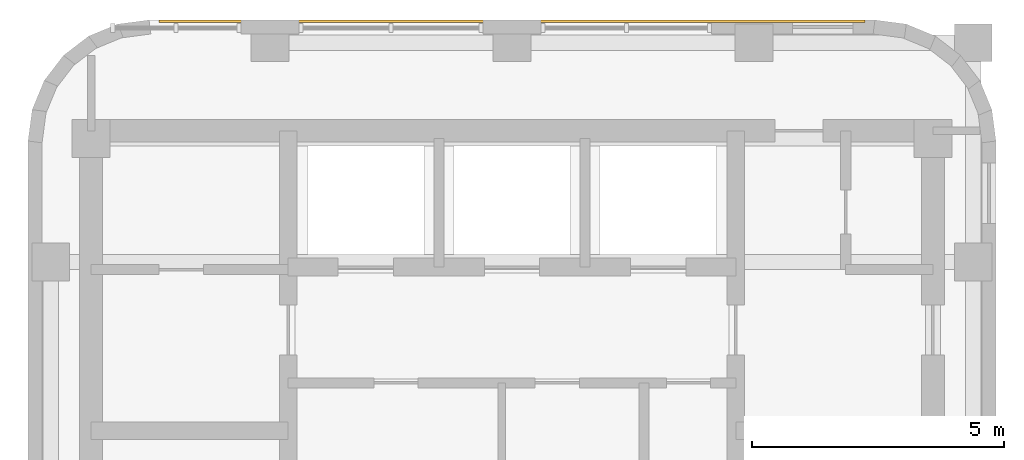
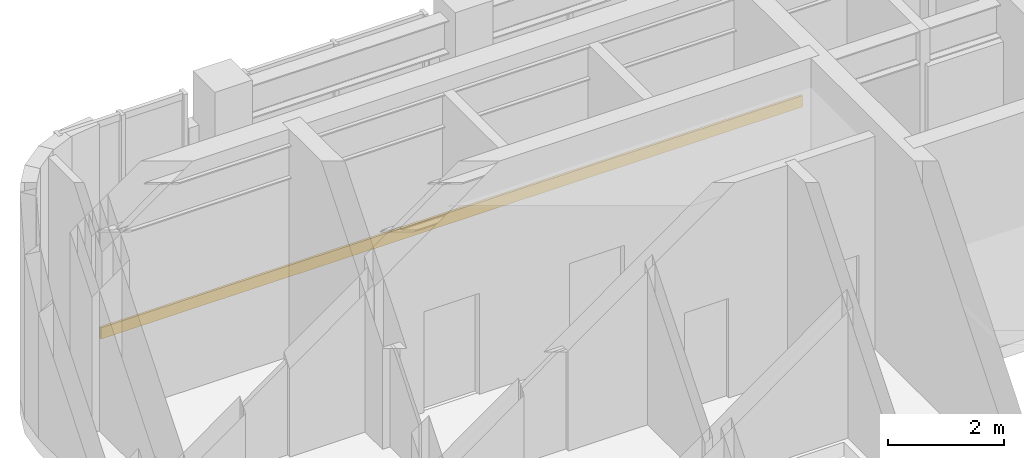
# One storey, part 8 of 8: 1 covering.
"""IFC4 building model written with IfcOpenShell, lengths in metres."""

from ifc_helpers import new_model, si_unit, direction, frame, origin, origin_2d, place, context, subcontext, project, spatial, rectangle, extrude, material, layer, layer_set, type_object, element, save


model = new_model("IFC4")

# Units and contexts
model_context = context("Model", 3, precision=1e-05, world=origin(), true_north=direction((0.0, 1.0)))
body_context = subcontext(model_context, "Body", "Model", "MODEL_VIEW")
ifc_project = project(units=[si_unit("LENGTHUNIT", "METRE"), si_unit("AREAUNIT", "SQUARE_METRE"), si_unit("VOLUMEUNIT", "CUBIC_METRE"), si_unit("PLANEANGLEUNIT", "RADIAN"), si_unit("MASSUNIT", "GRAM", prefix="KILO")], contexts=[model_context])

# Site, building, storey
site_placement = place(None, origin())
site = spatial("IfcSite", under=ifc_project, at=site_placement, CompositionType="ELEMENT")
building_placement = place(site_placement, origin())
building = spatial("IfcBuilding", under=site, at=building_placement, Name="Orvandelia Arch Residences", CompositionType="ELEMENT")
storey_placement = place(building_placement, frame((0.0, 0.0, 291.39990234375)))
storey = spatial("IfcBuildingStorey", under=building, at=storey_placement, Name="L75", CompositionType="ELEMENT", Elevation=291.39990234375)

# Covering
ifc_material = material(Name="Coral-Limestone Architectural Cladding", Category="masonry")
ifc_layer = layer(ifc_material, 0.044921875, Name="Coral-Limestone Architectural Cladding", Category="masonry")
ifc_layer_set = layer_set([ifc_layer], Name="Coral-Limestone Architectural Cladding")
covering_type = type_object("IfcCoveringType", Name="COV-STONE-CLAD", PredefinedType="CLADDING", material=ifc_layer_set)
covering_placement = place(storey_placement, frame((14.39990234375, 47.97509765625, -0.23974609375), z_axis=(0.0, 0.0, 1.0), x_axis=(1.0, 0.0, 0.0)))
element("IfcCovering", 1, at=covering_placement, inside=storey, type_object=covering_type, Name="Coral-Limestone Slab-Edge Cladding Band L75", PredefinedType="CLADDING", context=body_context, shape_type="SweptSolid", body=[
    extrude(rectangle(XDim=14.0, YDim=0.044921875, at=origin_2d()), origin(), (0.0, 0.0, 1.0), 0.239990234375),
])

save(model, "model.ifc")
